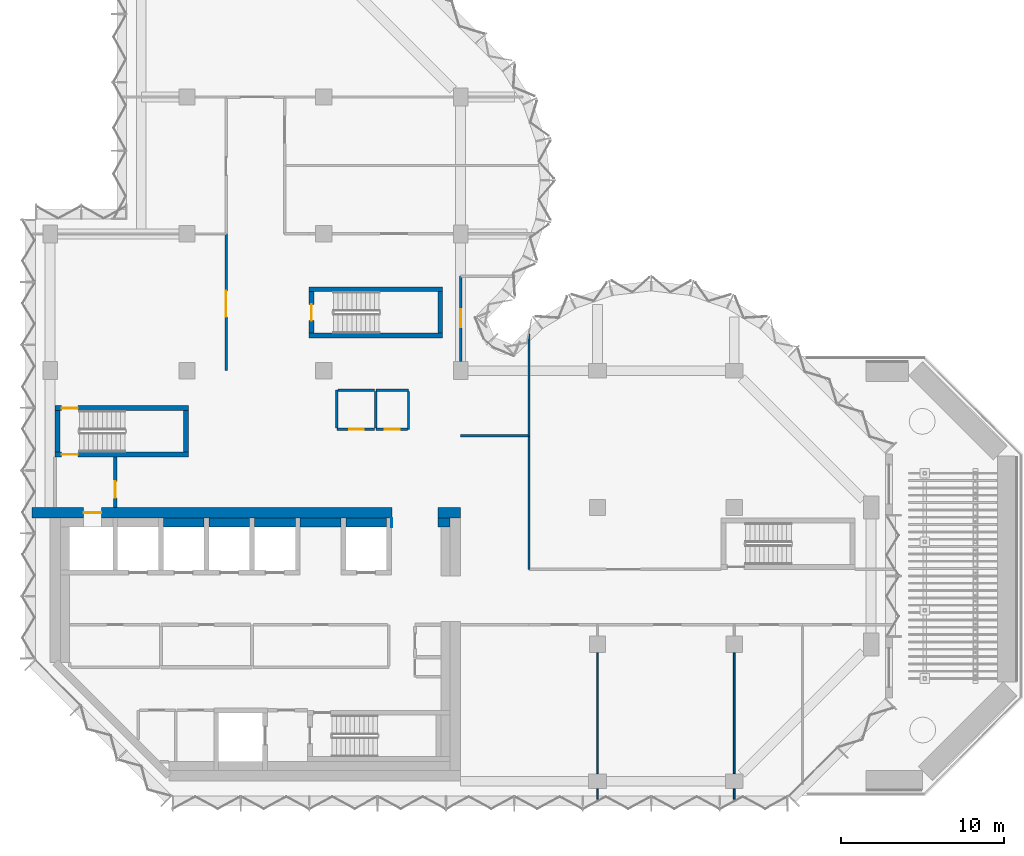
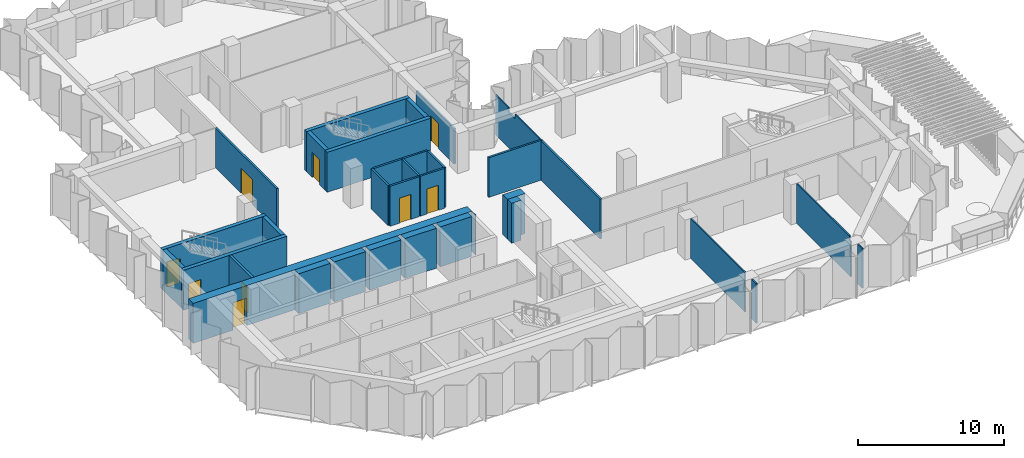
# One storey, part 9 of 14: 34 walls, 9 doors, 9 openings.
"""IFC4 building model written with IfcOpenShell, lengths in metres."""

from ifc_helpers import new_model, si_unit, direction, frame, frame_2d, origin, place, context, subcontext, project, spatial, polyline, rectangle, outline, extrude, material, layer, layer_set, type_object, element, fill, save


model = new_model("IFC4")

# Units and contexts
model_context = context("Model", 3, precision=1e-05, world=origin(), true_north=direction((0.0, 1.0)))
body_context = subcontext(model_context, "Body", "Model", "MODEL_VIEW")
ifc_project = project(units=[si_unit("LENGTHUNIT", "METRE"), si_unit("AREAUNIT", "SQUARE_METRE"), si_unit("VOLUMEUNIT", "CUBIC_METRE"), si_unit("PLANEANGLEUNIT", "RADIAN"), si_unit("MASSUNIT", "GRAM", prefix="KILO")], contexts=[model_context])

# Site, building, storey
site_placement = place(None, origin())
site = spatial("IfcSite", under=ifc_project, at=site_placement, CompositionType="ELEMENT")
building_placement = place(site_placement, origin())
building = spatial("IfcBuilding", under=site, at=building_placement, Name="Brevane Broadcast Tower", CompositionType="ELEMENT")
storey_placement = place(building_placement, frame((0.0, 0.0, 184.800048828125)))
storey = spatial("IfcBuildingStorey", under=building, at=storey_placement, Name="L46", CompositionType="ELEMENT", Elevation=184.800048828125)

# Walls
ifc_material_1 = material(Name="Concrete C32/40", Category="concrete")
ifc_layer_1 = layer(ifc_material_1, 0.550048828125)
ifc_layer_set_1 = layer_set([ifc_layer_1], Name="Core chase wall 550 mm")
wall_type_1 = type_object("IfcWallType", Name="Core chase wall 550 mm", PredefinedType="PARTITIONING", material=ifc_layer_set_1)
wall_1_placement = place(storey_placement, frame((23.800048828125, 15.875, 0.0), z_axis=(0.0, 0.0, 1.0), x_axis=(1.0, 0.0, 0.0)))
element("IfcWall", 1, at=wall_1_placement, inside=storey, type_object=wall_type_1, Name="L46 chase wall LN2", PredefinedType="PARTITIONING", context=body_context, shape_type="SweptSolid", body=[
    extrude(rectangle(XDim=0.75, YDim=0.550048828125, at=frame_2d((0.375, 0.0))), origin(), (0.0, 0.0, 1.0), 3.349853515625),
])
for number, where, z_axis, x_axis, name in (
    (2, (6.949951171875, 15.875, 0.0), (0.0, 0.0, 1.0), (1.0, 0.0, 0.0), "L46 chase wall LN1-2-2-1"),
    (3, (9.75, 15.875, 0.0), (0.0, 0.0, 1.0), (1.0, 0.0, 0.0), "L46 chase wall LN1-2-2-2-1"),
    (4, (12.550048828125, 15.875, 0.0), (0.0, 0.0, 1.0), (1.0, 0.0, 0.0), "L46 chase wall LN1-2-2-2-2-1"),
    (5, (15.35009765625, 15.875, 0.0), (0.0, 0.0, 1.0), (1.0, 0.0, 0.0), "L46 chase wall LN1-2-2-2-2-2-1"),
    (6, (18.14990234375, 15.875, 0.0), (0.0, 0.0, 1.0), (1.0, 0.0, 0.0), "L46 chase wall LN1-2-2-2-2-2-2-1"),
):
    element("IfcWall", number, at=place(storey_placement, frame(where, z_axis=z_axis, x_axis=x_axis)), inside=storey, type_object=wall_type_1, Name=name, PredefinedType="PARTITIONING", context=body_context, shape_type="SweptSolid", body=[
        extrude(rectangle(XDim=2.5, YDim=0.550048828125, at=frame_2d((1.25, 0.0))), origin(), (0.0, 0.0, 1.0), 3.349853515625),
    ])
wall_2_placement = place(storey_placement, frame((20.949951171875, 15.875, 0.0), z_axis=(0.0, 0.0, 1.0), x_axis=(1.0, 0.0, 0.0)))
element("IfcWall", 7, at=wall_2_placement, inside=storey, type_object=wall_type_1, Name="L46 chase wall LN1-2-2-2-2-2-2-2", PredefinedType="PARTITIONING", context=body_context, shape_type="SweptSolid", body=[
    extrude(rectangle(XDim=0.050048828125, YDim=0.550048828125, at=frame_2d((0.02490234375, 0.0))), origin(), (0.0, 0.0, 1.0), 3.349853515625),
])
ifc_material_2 = material(Name="Gypsum board on steel studs", Category="steel")
ifc_layer_2 = layer(ifc_material_2, 0.14990234375)
ifc_layer_set_2 = layer_set([ifc_layer_2], Name="Core fire partition 150 mm")
wall_type_2 = type_object("IfcWallType", Name="Core fire partition 150 mm", PredefinedType="PARTITIONING", material=ifc_layer_set_2)
wall_3_placement = place(storey_placement, frame((20.0, 24.0, 0.0), z_axis=(0.0, 0.0, 1.0), x_axis=(1.0, 0.0, 0.0)))
element("IfcWall", 8, at=wall_3_placement, inside=storey, type_object=wall_type_2, Name="L46 partition wall P22", PredefinedType="PARTITIONING", context=body_context, shape_type="SweptSolid", body=[
    extrude(rectangle(XDim=2.0, YDim=0.14990234375, at=frame_2d((1.0, 0.0))), origin(), (0.0, 0.0, 1.0), 3.349853515625),
])
wall_4_placement = place(storey_placement, frame((22.0, 23.925048828125, 0.0), z_axis=(0.0, 0.0, 1.0), x_axis=(0.0, -1.0, 0.0)))
element("IfcWall", 9, at=wall_4_placement, inside=storey, type_object=wall_type_2, Name="L46 partition wall P23", PredefinedType="PARTITIONING", context=body_context, shape_type="SweptSolid", body=[
    extrude(rectangle(XDim=2.324951171875, YDim=0.14990234375, at=frame_2d((1.16259765625, 0.0))), origin(), (0.0, 0.0, 1.0), 3.349853515625),
])

# Wall, opening, door
wall_5_placement = place(storey_placement, frame((21.925048828125, 21.60009765625, 0.0), z_axis=(0.0, 0.0, 1.0), x_axis=(-1.0, 0.0, 0.0)))
wall_5 = element("IfcWall", 10, at=wall_5_placement, inside=storey, type_object=wall_type_2, Name="L46 partition wall P24", PredefinedType="PARTITIONING", context=body_context, shape_type="SweptSolid", body=[
    extrude(rectangle(XDim=1.925048828125, YDim=0.14990234375, at=frame_2d((0.96240234375, 0.0))), origin(), (0.0, 0.0, 1.0), 3.349853515625),
])
opening_1_placement = place(wall_5_placement, frame((0.47509765625, 0.0, 0.0)))
opening_1 = element("IfcOpeningElement", 11, at=opening_1_placement, cuts=wall_5, Name="Opening L46-K23", PredefinedType="OPENING", context=body_context, shape_type="SweptSolid", body=[
    extrude(rectangle(XDim=0.89990234375, YDim=2.10009765625, at=frame_2d((0.449951171875, 1.050048828125))), frame((0.0, 0.0849609375, 0.0), z_axis=(0.0, -1.0, 0.0), x_axis=(1.0, 0.0, 0.0)), (0.0, 0.0, 1.0), 0.169921875),
])
ifc_material_3 = material(Name="Timber", Category="wood")
door_type_1 = type_object("IfcDoorType", Name="Toilet door 900 x 2100", OperationType="SINGLE_SWING_LEFT", PredefinedType="DOOR", material=ifc_material_3)
door_1_placement = place(opening_1_placement, origin())
door_1 = element("IfcDoor", 12, at=door_1_placement, inside=storey, type_object=door_type_1, Name="Door L46-K23", OperationType="SINGLE_SWING_RIGHT", OverallHeight=2.10009765625, OverallWidth=0.89990234375, PredefinedType="DOOR", context=body_context, shape_type="SweptSolid", body=[
    extrude(rectangle(XDim=0.89990234375, YDim=2.10009765625, at=frame_2d((0.449951171875, 1.050048828125))), frame((0.0, 0.02490234375, 0.0), z_axis=(0.0, -1.0, 0.0), x_axis=(1.0, 0.0, 0.0)), (0.0, 0.0, 1.0), 0.050048828125),
])
fill(opening_1, door_1)

# Wall
wall_6_placement = place(storey_placement, frame((20.0, 21.675048828125, 0.0), z_axis=(0.0, 0.0, 1.0), x_axis=(0.0, 1.0, 0.0)))
element("IfcWall", 13, at=wall_6_placement, inside=storey, type_object=wall_type_2, Name="L46 partition wall P25", PredefinedType="PARTITIONING", context=body_context, shape_type="SweptSolid", body=[
    extrude(rectangle(XDim=2.25, YDim=0.14990234375, at=frame_2d((1.125, 0.0))), origin(), (0.0, 0.0, 1.0), 3.349853515625),
])

# Wall, opening, door
wall_7_placement = place(storey_placement, frame((19.925048828125, 21.60009765625, 0.0), z_axis=(0.0, 0.0, 1.0), x_axis=(-1.0, 0.0, 0.0)))
wall_7 = element("IfcWall", 14, at=wall_7_placement, inside=storey, type_object=wall_type_2, Name="L46 partition wall P26", PredefinedType="PARTITIONING", context=body_context, shape_type="SweptSolid", body=[
    extrude(rectangle(XDim=2.324951171875, YDim=0.14990234375, at=frame_2d((1.16259765625, 0.0))), origin(), (0.0, 0.0, 1.0), 3.349853515625),
])
opening_2_placement = place(wall_7_placement, frame((0.675048828125, 0.0, 0.0)))
opening_2 = element("IfcOpeningElement", 15, at=opening_2_placement, cuts=wall_7, Name="Opening L46-K24", PredefinedType="OPENING", context=body_context, shape_type="SweptSolid", body=[
    extrude(rectangle(XDim=0.89990234375, YDim=2.10009765625, at=frame_2d((0.449951171875, 1.050048828125))), frame((0.0, 0.0849609375, 0.0), z_axis=(0.0, -1.0, 0.0), x_axis=(1.0, 0.0, 0.0)), (0.0, 0.0, 1.0), 0.169921875),
])
ifc_material_4 = material(Name="Steel", Category="steel")
door_type_2 = type_object("IfcDoorType", Name="Service room door 900 x 2100", OperationType="SINGLE_SWING_LEFT", PredefinedType="DOOR", material=ifc_material_4)
door_2_placement = place(opening_2_placement, origin())
door_2 = element("IfcDoor", 16, at=door_2_placement, inside=storey, type_object=door_type_2, Name="Door L46-K24", OperationType="SINGLE_SWING_LEFT", OverallHeight=2.10009765625, OverallWidth=0.89990234375, PredefinedType="DOOR", context=body_context, shape_type="SweptSolid", body=[
    extrude(rectangle(XDim=0.89990234375, YDim=2.10009765625, at=frame_2d((0.449951171875, 1.050048828125))), frame((0.0, 0.02490234375, 0.0), z_axis=(0.0, -1.0, 0.0), x_axis=(1.0, 0.0, 0.0)), (0.0, 0.0, 1.0), 0.050048828125),
])
fill(opening_2, door_2)

# Walls
wall_8_placement = place(storey_placement, frame((17.60009765625, 21.675048828125, 0.0), z_axis=(0.0, 0.0, 1.0), x_axis=(0.0, 1.0, 0.0)))
element("IfcWall", 17, at=wall_8_placement, inside=storey, type_object=wall_type_2, Name="L46 partition wall P27", PredefinedType="PARTITIONING", context=body_context, shape_type="SweptSolid", body=[
    extrude(rectangle(XDim=2.324951171875, YDim=0.14990234375, at=frame_2d((1.16259765625, 0.0))), origin(), (0.0, 0.0, 1.0), 3.349853515625),
])
wall_9_placement = place(storey_placement, frame((17.675048828125, 24.0, 0.0), z_axis=(0.0, 0.0, 1.0), x_axis=(1.0, 0.0, 0.0)))
element("IfcWall", 18, at=wall_9_placement, inside=storey, type_object=wall_type_2, Name="L46 partition wall P28", PredefinedType="PARTITIONING", context=body_context, shape_type="SweptSolid", body=[
    extrude(rectangle(XDim=2.25, YDim=0.14990234375, at=frame_2d((1.125, 0.0))), origin(), (0.0, 0.0, 1.0), 3.349853515625),
])

# Wall, opening, door
ifc_layer_3 = layer(ifc_material_2, 0.199951171875)
ifc_layer_set_3 = layer_set([ifc_layer_3], Name="Core fire partition 200 mm")
wall_type_3 = type_object("IfcWallType", Name="Core fire partition 200 mm", PredefinedType="PARTITIONING", material=ifc_layer_set_3)
wall_10_placement = place(storey_placement, frame((4.0, 19.887939453125, 0.0), z_axis=(0.0, 0.0, 1.0), x_axis=(0.0, -1.0, 0.0)))
wall_10 = element("IfcWall", 19, at=wall_10_placement, inside=storey, type_object=wall_type_3, Name="L46 partition wall P02", PredefinedType="PARTITIONING", context=body_context, shape_type="SweptSolid", body=[
    extrude(rectangle(XDim=3.075927734375, YDim=0.199951171875, at=frame_2d((1.5380859375, 0.0))), origin(), (0.0, 0.0, 1.0), 3.349853515625),
])
opening_3_placement = place(wall_10_placement, frame((1.488037109375, 0.0, 0.0)))
opening_3 = element("IfcOpeningElement", 20, at=opening_3_placement, cuts=wall_10, Name="Opening L46-K22", PredefinedType="OPENING", context=body_context, shape_type="SweptSolid", body=[
    extrude(rectangle(XDim=1.0, YDim=2.10009765625, at=frame_2d((0.5, 1.050048828125))), frame((0.0, 0.10986328125, 0.0), z_axis=(0.0, -1.0, 0.0), x_axis=(1.0, 0.0, 0.0)), (0.0, 0.0, 1.0), 0.219970703125),
])
door_type_3 = type_object("IfcDoorType", Name="Stair door 1000 x 2100", OperationType="SINGLE_SWING_LEFT", PredefinedType="DOOR", material=ifc_material_4)
door_3_placement = place(opening_3_placement, origin())
door_3 = element("IfcDoor", 21, at=door_3_placement, inside=storey, type_object=door_type_3, Name="Door L46-K22", OperationType="SINGLE_SWING_LEFT", OverallHeight=2.10009765625, OverallWidth=1.0, PredefinedType="DOOR", context=body_context, shape_type="SweptSolid", body=[
    extrude(rectangle(XDim=1.0, YDim=2.10009765625, at=frame_2d((0.5, 1.050048828125))), frame((0.0, 0.02490234375, 0.0), z_axis=(0.0, -1.0, 0.0), x_axis=(1.0, 0.0, 0.0)), (0.0, 0.0, 1.0), 0.050048828125),
])
fill(opening_3, door_3)

ifc_material_5 = material(Name="Concrete C60/75", Category="concrete")
ifc_layer_4 = layer(ifc_material_5, 0.300048828125)
ifc_layer_set_4 = layer_set([ifc_layer_4], Name="Core wall 300 mm C60/75")
wall_type_4 = type_object("IfcWallType", Name="Core wall 300 mm C60/75", PredefinedType="SHEAR", material=ifc_layer_set_4)
wall_11_placement = place(storey_placement, frame((8.5, 20.050048828125, 0.0), z_axis=(0.0, 0.0, 1.0), x_axis=(-1.0, 0.0, 0.0)))
wall_11 = element("IfcWall", 22, at=wall_11_placement, inside=storey, type_object=wall_type_4, Name="L46 stair wall ST-1-S", PredefinedType="SHEAR", context=body_context, shape_type="SweptSolid", body=[
    extrude(rectangle(XDim=8.199951171875, YDim=0.300048828125, at=frame_2d((4.10009765625, 0.0))), origin(), (0.0, 0.0, 1.0), 3.349853515625),
])
opening_4_placement = place(wall_11_placement, frame((6.800048828125, 0.0, 0.0)))
opening_4 = element("IfcOpeningElement", 23, at=opening_4_placement, cuts=wall_11, Name="Opening L46-K08", PredefinedType="OPENING", context=body_context, shape_type="SweptSolid", body=[
    extrude(rectangle(XDim=1.0, YDim=2.10009765625, at=frame_2d((0.5, 1.050048828125))), frame((0.0, 0.159912109375, 0.0), z_axis=(0.0, -1.0, 0.0), x_axis=(1.0, 0.0, 0.0)), (0.0, 0.0, 1.0), 0.320068359375),
])
door_4_placement = place(opening_4_placement, origin())
door_4 = element("IfcDoor", 24, at=door_4_placement, inside=storey, type_object=door_type_3, Name="Door L46-K08", OperationType="SINGLE_SWING_LEFT", OverallHeight=2.10009765625, OverallWidth=1.0, PredefinedType="DOOR", context=body_context, shape_type="SweptSolid", body=[
    extrude(rectangle(XDim=1.0, YDim=2.10009765625, at=frame_2d((0.5, 1.050048828125))), frame((0.0, 0.02490234375, 0.0), z_axis=(0.0, -1.0, 0.0), x_axis=(1.0, 0.0, 0.0)), (0.0, 0.0, 1.0), 0.050048828125),
])
fill(opening_4, door_4)

wall_12_placement = place(storey_placement, frame((0.300048828125, 22.89990234375, 0.0), z_axis=(0.0, 0.0, 1.0), x_axis=(1.0, 0.0, 0.0)))
wall_12 = element("IfcWall", 25, at=wall_12_placement, inside=storey, type_object=wall_type_4, Name="L46 stair wall ST-1-N", PredefinedType="SHEAR", context=body_context, shape_type="SweptSolid", body=[
    extrude(rectangle(XDim=8.199951171875, YDim=0.300048828125, at=frame_2d((4.10009765625, 0.0))), origin(), (0.0, 0.0, 1.0), 3.349853515625),
])
opening_5_placement = place(wall_12_placement, frame((0.39990234375, 0.0, 0.0)))
opening_5 = element("IfcOpeningElement", 26, at=opening_5_placement, cuts=wall_12, Name="Opening L46-K09", PredefinedType="OPENING", context=body_context, shape_type="SweptSolid", body=[
    extrude(rectangle(XDim=1.0, YDim=2.10009765625, at=frame_2d((0.5, 1.050048828125))), frame((0.0, 0.159912109375, 0.0), z_axis=(0.0, -1.0, 0.0), x_axis=(1.0, 0.0, 0.0)), (0.0, 0.0, 1.0), 0.320068359375),
])
door_5_placement = place(opening_5_placement, origin())
door_5 = element("IfcDoor", 27, at=door_5_placement, inside=storey, type_object=door_type_3, Name="Door L46-K09", OperationType="SINGLE_SWING_RIGHT", OverallHeight=2.10009765625, OverallWidth=1.0, PredefinedType="DOOR", context=body_context, shape_type="SweptSolid", body=[
    extrude(rectangle(XDim=1.0, YDim=2.10009765625, at=frame_2d((0.5, 1.050048828125))), frame((0.0, 0.02490234375, 0.0), z_axis=(0.0, -1.0, 0.0), x_axis=(1.0, 0.0, 0.0)), (0.0, 0.0, 1.0), 0.050048828125),
])
fill(opening_5, door_5)

# Walls
for number, where, z_axis, x_axis, name in (
    (28, (0.449951171875, 20.199951171875, 0.0), (0.0, 0.0, 1.0), (0.0, 1.0, 0.0), "L46 stair wall ST-1-W"),
    (29, (8.35009765625, 20.199951171875, 0.0), (0.0, 0.0, 1.0), (0.0, 1.0, 0.0), "L46 stair wall ST-1-E"),
):
    element("IfcWall", number, at=place(storey_placement, frame(where, z_axis=z_axis, x_axis=x_axis)), inside=storey, type_object=wall_type_4, Name=name, PredefinedType="SHEAR", context=body_context, shape_type="SweptSolid", body=[
        extrude(rectangle(XDim=2.550048828125, YDim=0.300048828125, at=frame_2d((1.27490234375, 0.0))), origin(), (0.0, 0.0, 1.0), 3.349853515625),
    ])
for number, where, z_axis, x_axis, name in (
    (30, (15.89990234375, 27.35009765625, 0.0), (0.0, 0.0, 1.0), (1.0, 0.0, 0.0), "L46 stair wall ST-3-S"),
    (31, (15.89990234375, 30.199951171875, 0.0), (0.0, 0.0, 1.0), (1.0, 0.0, 0.0), "L46 stair wall ST-3-N"),
):
    element("IfcWall", number, at=place(storey_placement, frame(where, z_axis=z_axis, x_axis=x_axis)), inside=storey, type_object=wall_type_4, Name=name, PredefinedType="SHEAR", context=body_context, shape_type="SweptSolid", body=[
        extrude(rectangle(XDim=8.2001953125, YDim=0.300048828125, at=frame_2d((4.10009765625, 0.0))), origin(), (0.0, 0.0, 1.0), 3.349853515625),
    ])

# Wall, opening, door
wall_13_placement = place(storey_placement, frame((16.050048828125, 27.5, 0.0), z_axis=(0.0, 0.0, 1.0), x_axis=(0.0, 1.0, 0.0)))
wall_13 = element("IfcWall", 32, at=wall_13_placement, inside=storey, type_object=wall_type_4, Name="L46 stair wall ST-3-W", PredefinedType="SHEAR", context=body_context, shape_type="SweptSolid", body=[
    extrude(rectangle(XDim=2.550048828125, YDim=0.300048828125, at=frame_2d((1.27490234375, 0.0))), origin(), (0.0, 0.0, 1.0), 3.349853515625),
])
opening_6_placement = place(wall_13_placement, frame((0.77490234375, 0.0, 0.0)))
opening_6 = element("IfcOpeningElement", 33, at=opening_6_placement, cuts=wall_13, Name="Opening L46-K12", PredefinedType="OPENING", context=body_context, shape_type="SweptSolid", body=[
    extrude(rectangle(XDim=1.0, YDim=2.10009765625, at=frame_2d((0.5, 1.050048828125))), frame((0.0, 0.159912109375, 0.0), z_axis=(0.0, -1.0, 0.0), x_axis=(1.0, 0.0, 0.0)), (0.0, 0.0, 1.0), 0.320068359375),
])
door_6_placement = place(opening_6_placement, origin())
door_6 = element("IfcDoor", 34, at=door_6_placement, inside=storey, type_object=door_type_3, Name="Door L46-K12", OperationType="SINGLE_SWING_LEFT", OverallHeight=2.10009765625, OverallWidth=1.0, PredefinedType="DOOR", context=body_context, shape_type="SweptSolid", body=[
    extrude(rectangle(XDim=1.0, YDim=2.10009765625, at=frame_2d((0.5, 1.050048828125))), frame((0.0, 0.02490234375, 0.0), z_axis=(0.0, -1.0, 0.0), x_axis=(1.0, 0.0, 0.0)), (0.0, 0.0, 1.0), 0.050048828125),
])
fill(opening_6, door_6)

# Wall
wall_14_placement = place(storey_placement, frame((23.949951171875, 27.5, 0.0), z_axis=(0.0, 0.0, 1.0), x_axis=(0.0, 1.0, 0.0)))
element("IfcWall", 35, at=wall_14_placement, inside=storey, type_object=wall_type_4, Name="L46 stair wall ST-3-E", PredefinedType="SHEAR", context=body_context, shape_type="SweptSolid", body=[
    extrude(rectangle(XDim=2.550048828125, YDim=0.300048828125, at=frame_2d((1.27490234375, 0.0))), origin(), (0.0, 0.0, 1.0), 3.349853515625),
])

# Wall, opening, door
ifc_layer_5 = layer(ifc_material_5, 0.64990234375)
ifc_layer_set_5 = layer_set([ifc_layer_5], Name="Core wall 650 mm C60/75")
wall_type_5 = type_object("IfcWallType", Name="Core wall 650 mm C60/75", PredefinedType="SHEAR", material=ifc_layer_set_5)
wall_15_placement = place(storey_placement, frame((-1.10009765625, 16.47509765625, 0.0), z_axis=(0.0, 0.0, 1.0), x_axis=(1.0, 0.0, 0.0)))
wall_15 = element("IfcWall", 36, at=wall_15_placement, inside=storey, type_object=wall_type_5, Name="L46 outer wall WN1", PredefinedType="SHEAR", context=body_context, shape_type="SweptSolid", body=[
    extrude(rectangle(XDim=22.10009765625, YDim=0.64990234375, at=frame_2d((11.050048828125, 0.0))), origin(), (0.0, 0.0, 1.0), 3.349853515625),
])
opening_7_placement = place(wall_15_placement, frame((3.14990234375, 0.0, 0.0)))
opening_7 = element("IfcOpeningElement", 37, at=opening_7_placement, cuts=wall_15, Name="Opening LD", PredefinedType="OPENING", context=body_context, shape_type="SweptSolid", body=[
    extrude(rectangle(XDim=1.10009765625, YDim=2.300048828125, at=frame_2d((0.550048828125, 1.14990234375))), frame((0.0, 0.3349609375, 0.0), z_axis=(0.0, -1.0, 0.0), x_axis=(1.0, 0.0, 0.0)), (0.0, 0.0, 1.0), 0.669921875),
])
ifc_material_6 = material(Name="Stainless steel", Category="steel")
door_type_4 = type_object("IfcDoorType", Name="Lift landing door", OperationType="SLIDING_TO_LEFT", PredefinedType="DOOR", material=ifc_material_6)
door_7_placement = place(opening_7_placement, origin())
door_7 = element("IfcDoor", 38, at=door_7_placement, inside=storey, type_object=door_type_4, Name="Landing door FF1 L46", OperationType="SLIDING_TO_LEFT", OverallHeight=2.300048828125, OverallWidth=1.10009765625, PredefinedType="DOOR", context=body_context, shape_type="SweptSolid", body=[
    extrude(rectangle(XDim=1.10009765625, YDim=2.300048828125, at=frame_2d((0.550048828125, 1.14990234375))), frame((0.0, 0.02490234375, 0.0), z_axis=(0.0, -1.0, 0.0), x_axis=(1.0, 0.0, 0.0)), (0.0, 0.0, 1.0), 0.050048828125),
])
fill(opening_7, door_7)

# Walls
wall_16_placement = place(storey_placement, frame((23.800048828125, 16.47509765625, 0.0), z_axis=(0.0, 0.0, 1.0), x_axis=(1.0, 0.0, 0.0)))
element("IfcWall", 39, at=wall_16_placement, inside=storey, type_object=wall_type_5, Name="L46 outer wall WN2", PredefinedType="SHEAR", context=body_context, shape_type="SweptSolid", body=[
    extrude(rectangle(XDim=1.39990234375, YDim=0.64990234375, at=frame_2d((0.699951171875, 0.0))), origin(), (0.0, 0.0, 1.0), 3.349853515625),
])
ifc_material_7 = material(Name="Gypsum board partition")
ifc_layer_6 = layer(ifc_material_7, 0.10009765625)
ifc_layer_set_6 = layer_set([ifc_layer_6], Name="PARTITION 100 STUD")
wall_type_6 = type_object("IfcWallType", Name="PARTITION 100 STUD", PredefinedType="PARTITIONING", material=ifc_layer_set_6)
wall_17_placement = place(storey_placement, frame((29.39990234375, 27.428955078125, 0.0), z_axis=(0.0, 0.0, 1.0), x_axis=(0.0, -1.0, 0.0)))
element("IfcWall", 40, at=wall_17_placement, inside=storey, type_object=wall_type_6, Name="Partition G14-004", PredefinedType="PARTITIONING", context=body_context, shape_type="SweptSolid", body=[
    extrude(outline(polyline([(0.0, 0.0), (6.22900390625, 0.0), (6.22900390625, 3.329833984375), (2.678955078125, 3.329833984375), (2.677001953125, 2.97998046875), (1.781005859375, 2.97998046875), (1.779052734375, 3.329833984375), (0.154052734375, 3.329833984375), (0.0, 3.329833984375), (0.0, 0.0)])), frame((0.0, 0.050048828125, 0.0), z_axis=(0.0, -1.0, 0.0), x_axis=(1.0, 0.0, 0.0)), (0.0, 0.0, 1.0), 0.10009765625),
])
wall_18_placement = place(storey_placement, frame((33.60009765625, 7.8798828125, 0.0), z_axis=(0.0, 0.0, 1.0), x_axis=(0.0, -1.0, 0.0)))
element("IfcWall", 41, at=wall_18_placement, inside=storey, type_object=wall_type_6, Name="Partition G14-014", PredefinedType="PARTITIONING", context=body_context, shape_type="SweptSolid", body=[
    extrude(rectangle(XDim=7.409912109375, YDim=0.10009765625, at=frame_2d((3.705078125, 0.0))), origin(), (0.0, 0.0, 1.0), 3.329833984375),
])
wall_19_placement = place(storey_placement, frame((33.60009765625, -0.469970703125, 0.0), z_axis=(0.0, 0.0, 1.0), x_axis=(0.0, -1.0, 0.0)))
element("IfcWall", 42, at=wall_19_placement, inside=storey, type_object=wall_type_6, Name="Partition G14-015", PredefinedType="PARTITIONING", context=body_context, shape_type="SweptSolid", body=[
    extrude(rectangle(XDim=0.630126953125, YDim=0.10009765625, at=frame_2d((0.31494140625, 0.0))), origin(), (0.0, 0.0, 1.0), 3.329833984375),
])
wall_20_placement = place(storey_placement, frame((42.0, 7.8798828125, 0.0), z_axis=(0.0, 0.0, 1.0), x_axis=(0.0, -1.0, 0.0)))
element("IfcWall", 43, at=wall_20_placement, inside=storey, type_object=wall_type_6, Name="Partition G14-017", PredefinedType="PARTITIONING", context=body_context, shape_type="SweptSolid", body=[
    extrude(outline(polyline([(0.0, 0.0), (7.409912109375, 0.0), (7.409912109375, 2.97998046875), (7.21630859375, 2.97998046875), (7.21435546875, 3.329833984375), (0.0, 3.329833984375), (0.0, 0.0)])), frame((0.0, 0.050048828125, 0.0), z_axis=(0.0, -1.0, 0.0), x_axis=(1.0, 0.0, 0.0)), (0.0, 0.0, 1.0), 0.10009765625),
])
wall_21_placement = place(storey_placement, frame((42.0, -0.469970703125, 0.0), z_axis=(0.0, 0.0, 1.0), x_axis=(0.0, -1.0, 0.0)))
element("IfcWall", 44, at=wall_21_placement, inside=storey, type_object=wall_type_6, Name="Partition G14-018", PredefinedType="PARTITIONING", context=body_context, shape_type="SweptSolid", body=[
    extrude(rectangle(XDim=0.630126953125, YDim=0.10009765625, at=frame_2d((0.31494140625, 0.0))), origin(), (0.0, 0.0, 1.0), 3.329833984375),
])
ifc_layer_7 = layer(ifc_material_7, 0.14990234375)
ifc_layer_set_7 = layer_set([ifc_layer_7], Name="PARTITION 150 EI 60")
wall_type_7 = type_object("IfcWallType", Name="PARTITION 150 EI 60", PredefinedType="PARTITIONING", material=ifc_layer_set_7)
wall_22_placement = place(storey_placement, frame((25.199951171875, 21.199951171875, 0.0), z_axis=(0.0, 0.0, 1.0), x_axis=(1.0, 0.0, 0.0)))
element("IfcWall", 45, at=wall_22_placement, inside=storey, type_object=wall_type_7, Name="Partition G14-001", PredefinedType="PARTITIONING", context=body_context, shape_type="SweptSolid", body=[
    extrude(rectangle(XDim=4.199951171875, YDim=0.14990234375, at=frame_2d((2.10009765625, 0.0))), origin(), (0.0, 0.0, 1.0), 3.329833984375),
])
wall_23_placement = place(storey_placement, frame((29.39990234375, 21.199951171875, 0.0), z_axis=(0.0, 0.0, 1.0), x_axis=(0.0, -1.0, 0.0)))
element("IfcWall", 46, at=wall_23_placement, inside=storey, type_object=wall_type_7, Name="Partition G14-003", PredefinedType="PARTITIONING", context=body_context, shape_type="SweptSolid", body=[
    extrude(rectangle(XDim=8.199951171875, YDim=0.14990234375, at=frame_2d((4.10009765625, 0.0))), origin(), (0.0, 0.0, 1.0), 3.329833984375),
])

# Wall, opening, door
wall_24_placement = place(storey_placement, frame((25.199951171875, 31.0, 0.0), z_axis=(0.0, 0.0, 1.0), x_axis=(0.0, -1.0, 0.0)))
wall_24 = element("IfcWall", 47, at=wall_24_placement, inside=storey, type_object=wall_type_7, Name="Partition G14-005", PredefinedType="PARTITIONING", context=body_context, shape_type="SweptSolid", body=[
    extrude(outline(polyline([(0.0, 0.0), (5.22998046875, 0.0), (5.22998046875, 2.97998046875), (0.0, 2.97998046875), (0.0, 0.0)])), frame((0.0, 0.074951171875, 0.0), z_axis=(0.0, -1.0, 0.0), x_axis=(1.0, 0.0, 0.0)), (0.0, 0.0, 1.0), 0.14990234375),
])
opening_8_placement = place(wall_24_placement, frame((2.030029296875, 0.0, 0.0)))
opening_8 = element("IfcOpeningElement", 48, at=opening_8_placement, cuts=wall_24, Name="Opening D23-001", PredefinedType="OPENING", context=body_context, shape_type="SweptSolid", body=[
    extrude(rectangle(XDim=1.10009765625, YDim=2.10009765625, at=frame_2d((0.550048828125, 1.050048828125))), frame((0.0, 0.0849609375, 0.0), z_axis=(0.0, -1.0, 0.0), x_axis=(1.0, 0.0, 0.0)), (0.0, 0.0, 1.0), 0.169921875),
])
ifc_material_8 = material(Name="Fire-rated timber door leaf", Category="wood")
door_type_5 = type_object("IfcDoorType", Name="DOOR SINGLE 1100 FD30S", OperationType="SINGLE_SWING_LEFT", PredefinedType="DOOR", material=ifc_material_8)
door_8_placement = place(opening_8_placement, origin())
door_8 = element("IfcDoor", 49, at=door_8_placement, inside=storey, type_object=door_type_5, Name="Door D23-001", OperationType="SINGLE_SWING_RIGHT", OverallHeight=2.10009765625, OverallWidth=1.10009765625, PredefinedType="DOOR", context=body_context, shape_type="SweptSolid", body=[
    extrude(rectangle(XDim=1.10009765625, YDim=2.10009765625, at=frame_2d((0.550048828125, 1.050048828125))), frame((0.0, 0.02490234375, 0.0), z_axis=(0.0, -1.0, 0.0), x_axis=(1.0, 0.0, 0.0)), (0.0, 0.0, 1.0), 0.050048828125),
])
fill(opening_8, door_8)

wall_25_placement = place(storey_placement, frame((10.800048828125, 25.199951171875, 0.0), z_axis=(0.0, 0.0, 1.0), x_axis=(0.0, 1.0, 0.0)))
wall_25 = element("IfcWall", 50, at=wall_25_placement, inside=storey, type_object=wall_type_7, Name="Partition G14-020", PredefinedType="PARTITIONING", context=body_context, shape_type="SweptSolid", body=[
    extrude(rectangle(XDim=8.400146484375, YDim=0.14990234375, at=frame_2d((4.2001953125, 0.0))), origin(), (0.0, 0.0, 1.0), 3.329833984375),
])
opening_9_placement = place(wall_25_placement, frame((3.300048828125, 0.0, 0.0)))
opening_9 = element("IfcOpeningElement", 51, at=opening_9_placement, cuts=wall_25, Name="Opening D23-008", PredefinedType="OPENING", context=body_context, shape_type="SweptSolid", body=[
    extrude(rectangle(XDim=1.60009765625, YDim=2.10009765625, at=frame_2d((0.800048828125, 1.050048828125))), frame((0.0, 0.0849609375, 0.0), z_axis=(0.0, -1.0, 0.0), x_axis=(1.0, 0.0, 0.0)), (0.0, 0.0, 1.0), 0.169921875),
])
door_type_6 = type_object("IfcDoorType", Name="DOOR DOUBLE 1600 FD30S", OperationType="DOUBLE_DOOR_SINGLE_SWING", PredefinedType="DOOR", material=ifc_material_8)
door_9_placement = place(opening_9_placement, origin())
door_9 = element("IfcDoor", 52, at=door_9_placement, inside=storey, type_object=door_type_6, Name="Door D23-008", OperationType="DOUBLE_DOOR_SINGLE_SWING", OverallHeight=2.10009765625, OverallWidth=1.60009765625, PredefinedType="DOOR", context=body_context, shape_type="SweptSolid", body=[
    extrude(rectangle(XDim=1.60009765625, YDim=2.10009765625, at=frame_2d((0.800048828125, 1.050048828125))), frame((0.0, 0.02490234375, 0.0), z_axis=(0.0, -1.0, 0.0), x_axis=(1.0, 0.0, 0.0)), (0.0, 0.0, 1.0), 0.050048828125),
])
fill(opening_9, door_9)

save(model, "model.ifc")
